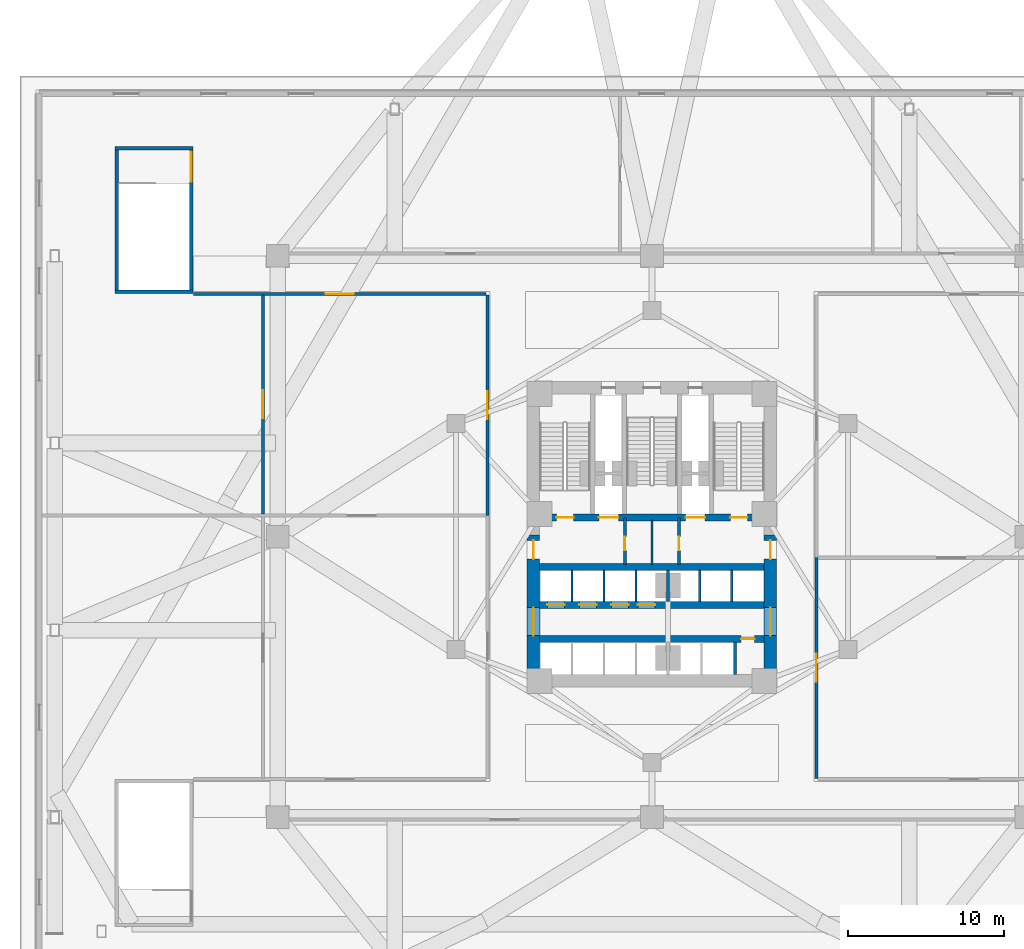
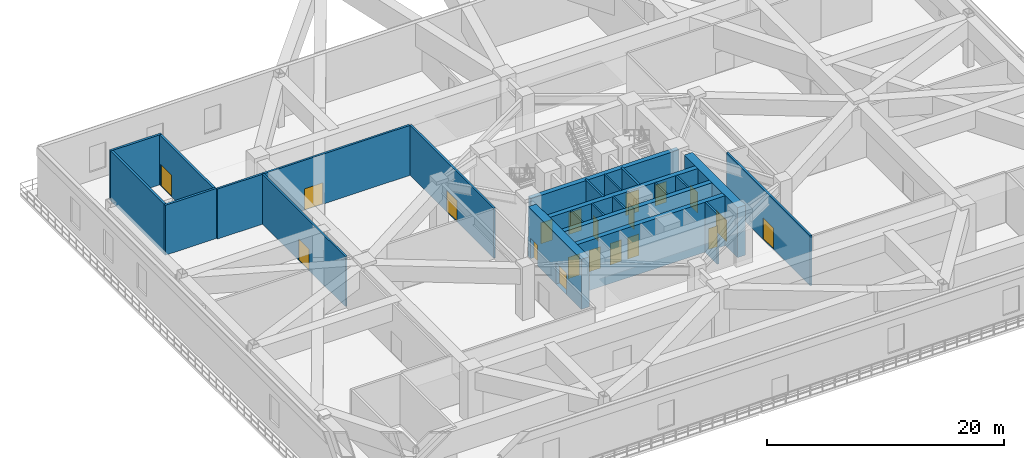
# One storey, part 7 of 15: 24 walls, 20 doors, 20 openings.
"""IFC4 building model written with IfcOpenShell, lengths in metres."""

from ifc_helpers import new_model, si_unit, direction, frame, frame_2d, origin, place, context, subcontext, project, spatial, rectangle, extrude, material, layer, layer_set, type_object, element, fill, save


model = new_model("IFC4")

# Units and contexts
model_context = context("Model", 3, precision=1e-05, world=origin(), true_north=direction((0.0, 1.0)))
body_context = subcontext(model_context, "Body", "Model", "MODEL_VIEW")
ifc_project = project(units=[si_unit("LENGTHUNIT", "METRE"), si_unit("AREAUNIT", "SQUARE_METRE"), si_unit("VOLUMEUNIT", "CUBIC_METRE"), si_unit("PLANEANGLEUNIT", "RADIAN"), si_unit("MASSUNIT", "GRAM", prefix="KILO")], contexts=[model_context])

# Site, building, storey
site_placement = place(None, origin())
site = spatial("IfcSite", under=ifc_project, at=site_placement, CompositionType="ELEMENT")
building_placement = place(site_placement, origin())
building = spatial("IfcBuilding", under=site, at=building_placement, Name="Apsidion Concourse Tower", CompositionType="ELEMENT")
storey_placement = place(building_placement, frame((0.0, 0.0, 23.5)))
storey = spatial("IfcBuildingStorey", under=building, at=storey_placement, Name="L04", CompositionType="ELEMENT", Elevation=23.5)

# Walls
ifc_material_1 = material(Name="Gypsum plasterboard partition")
ifc_layer_1 = layer(ifc_material_1, 0.14990234375)
ifc_layer_set_1 = layer_set([ifc_layer_1], Name="Gypsum plasterboard partition")
wall_type_1 = type_object("IfcWallType", Name="WL-INT-PAR-150", PredefinedType="PARTITIONING", material=ifc_layer_set_1)
for number, where, z_axis, x_axis, name in (
    (1, (-5.125, -4.179931640625, 0.0), (0.0, 0.0, 1.0), (0.0, 1.0, 0.0), "L04 Interior Partition WL-L04-B1DIV-1"),
    (2, (-3.074951171875, -4.179931640625, 0.0), (0.0, 0.0, 1.0), (0.0, 1.0, 0.0), "L04 Interior Partition WL-L04-B1DIV-2"),
    (3, (-1.02490234375, -4.179931640625, 0.0), (0.0, 0.0, 1.0), (0.0, 1.0, 0.0), "L04 Interior Partition WL-L04-B1DIV-3"),
    (4, (3.074951171875, -4.179931640625, 0.0), (0.0, 0.0, 1.0), (0.0, 1.0, 0.0), "L04 Interior Partition WL-L04-B3DIV-1"),
    (5, (5.125, -4.179931640625, 0.0), (0.0, 0.0, 1.0), (0.0, 1.0, 0.0), "L04 Interior Partition WL-L04-B3DIV-2"),
):
    element("IfcWall", number, at=place(storey_placement, frame(where, z_axis=z_axis, x_axis=x_axis)), inside=storey, type_object=wall_type_1, Name=name, PredefinedType="PARTITIONING", context=body_context, shape_type="SweptSolid", body=[
        extrude(rectangle(XDim=2.030029296875, YDim=0.14990234375, at=frame_2d((1.01513671875, 0.0))), origin(), (0.0, 0.0, 1.0), 5.14990234375),
    ])
wall_1_placement = place(storey_placement, frame((0.0, -1.780029296875, 0.0), z_axis=(0.0, 0.0, 1.0), x_axis=(0.0, 1.0, 0.0)))
element("IfcWall", 6, at=wall_1_placement, inside=storey, type_object=wall_type_1, Name="L04 Interior Partition WL-L04-K3V", PredefinedType="PARTITIONING", context=body_context, shape_type="SweptSolid", body=[
    extrude(rectangle(XDim=2.830078125, YDim=0.14990234375, at=frame_2d((1.4150390625, 0.0))), origin(), (0.0, 0.0, 1.0), 5.14990234375),
])
ifc_layer_2 = layer(ifc_material_1, 0.179931640625)
ifc_layer_set_2 = layer_set([ifc_layer_2], Name="Gypsum plasterboard partition")
wall_type_2 = type_object("IfcWallType", Name="WL-INT-PAR-180", PredefinedType="PARTITIONING", material=ifc_layer_set_2)
wall_2_placement = place(storey_placement, frame((1.02490234375, -4.179931640625, 0.0), z_axis=(0.0, 0.0, 1.0), x_axis=(0.0, 1.0, 0.0)))
element("IfcWall", 7, at=wall_2_placement, inside=storey, type_object=wall_type_2, Name="L04 Interior Partition WL-L04-B1END", PredefinedType="PARTITIONING", context=body_context, shape_type="SweptSolid", body=[
    extrude(rectangle(XDim=2.030029296875, YDim=0.179931640625, at=frame_2d((1.01513671875, 0.0))), origin(), (0.0, 0.0, 1.0), 4.197998046875),
])
wall_3_placement = place(storey_placement, frame((5.324951171875, -8.85009765625, 0.0), z_axis=(0.0, 0.0, 1.0), x_axis=(0.0, 1.0, 0.0)))
element("IfcWall", 8, at=wall_3_placement, inside=storey, type_object=wall_type_2, Name="L04 Interior Partition WL-L04-SHDIV-2", PredefinedType="PARTITIONING", context=body_context, shape_type="SweptSolid", body=[
    extrude(rectangle(XDim=2.080078125, YDim=0.179931640625, at=frame_2d((1.0400390625, 0.0))), origin(), (0.0, 0.0, 1.0), 5.14990234375),
])

# Wall, opening, door
wall_4_placement = place(storey_placement, frame((-24.949951171875, 1.449951171875, 0.0), z_axis=(0.0, 0.0, 1.0), x_axis=(0.0, 1.0, 0.0)))
wall_4 = element("IfcWall", 9, at=wall_4_placement, inside=storey, type_object=wall_type_2, Name="L04 Interior Partition WL-L04-WV2", PredefinedType="PARTITIONING", context=body_context, shape_type="SweptSolid", body=[
    extrude(rectangle(XDim=14.050048828125, YDim=0.179931640625, at=frame_2d((7.02490234375, 0.0))), origin(), (0.0, 0.0, 1.0), 5.14990234375),
])
opening_1_placement = place(wall_4_placement, frame((6.125, 0.0, 0.0)))
opening_1 = element("IfcOpeningElement", 10, at=opening_1_placement, cuts=wall_4, Name="Opening D-06D", PredefinedType="OPENING", context=body_context, shape_type="SweptSolid", body=[
    extrude(rectangle(XDim=1.800048828125, YDim=2.199951171875, at=frame_2d((0.89990234375, 1.10009765625))), frame((0.0, 0.10009765625, 0.0), z_axis=(0.0, -1.0, 0.0), x_axis=(1.0, 0.0, 0.0)), (0.0, 0.0, 1.0), 0.199951171875),
])
ifc_material_2 = material(Name="Brushed stainless steel 316", Category="steel")
door_type_1 = type_object("IfcDoorType", Name="DR-INT-D06D", OperationType="DOUBLE_DOOR_SINGLE_SWING", PredefinedType="DOOR", material=ifc_material_2)
door_1_placement = place(opening_1_placement, origin())
door_1 = element("IfcDoor", 11, at=door_1_placement, inside=storey, type_object=door_type_1, Name="L04 Convention Door WL-L04-WV2", OperationType="DOUBLE_DOOR_SINGLE_SWING", OverallHeight=2.199951171875, OverallWidth=1.800048828125, PredefinedType="DOOR", context=body_context, shape_type="SweptSolid", body=[
    extrude(rectangle(XDim=1.800048828125, YDim=2.199951171875, at=frame_2d((0.89990234375, 1.10009765625))), frame((0.0, 0.02490234375, 0.0), z_axis=(0.0, -1.0, 0.0), x_axis=(1.0, 0.0, 0.0)), (0.0, 0.0, 1.0), 0.050048828125),
])
fill(opening_1, door_1)

ifc_layer_3 = layer(ifc_material_1, 0.199951171875)
ifc_layer_set_3 = layer_set([ifc_layer_3], Name="Gypsum plasterboard partition")
wall_type_3 = type_object("IfcWallType", Name="WL-INT-PAR-200", PredefinedType="PARTITIONING", material=ifc_layer_set_3)
wall_5_placement = place(storey_placement, frame((-1.739990234375, -1.780029296875, 0.0), z_axis=(0.0, 0.0, 1.0), x_axis=(0.0, 1.0, 0.0)))
wall_5 = element("IfcWall", 12, at=wall_5_placement, inside=storey, type_object=wall_type_3, Name="L04 Interior Partition WL-L04-FF1-E", PredefinedType="PARTITIONING", context=body_context, shape_type="SweptSolid", body=[
    extrude(rectangle(XDim=2.97998046875, YDim=0.199951171875, at=frame_2d((1.489990234375, 0.0))), origin(), (0.0, 0.0, 1.0), 5.14990234375),
])
opening_2_placement = place(wall_5_placement, frame((0.889892578125, 0.0, 0.0)))
opening_2 = element("IfcOpeningElement", 13, at=opening_2_placement, cuts=wall_5, Name="Opening D-05R", PredefinedType="OPENING", context=body_context, shape_type="SweptSolid", body=[
    extrude(rectangle(XDim=0.8798828125, YDim=2.14990234375, at=frame_2d((0.43994140625, 1.074951171875))), frame((0.0, 0.10986328125, 0.0), z_axis=(0.0, -1.0, 0.0), x_axis=(1.0, 0.0, 0.0)), (0.0, 0.0, 1.0), 0.219970703125),
])
door_type_2 = type_object("IfcDoorType", Name="DR-INT-D05R", OperationType="SINGLE_SWING_RIGHT", PredefinedType="DOOR", material=ifc_material_2)
door_2_placement = place(opening_2_placement, origin())
door_2 = element("IfcDoor", 14, at=door_2_placement, inside=storey, type_object=door_type_2, Name="L04 Core Pantry Door", OperationType="SINGLE_SWING_RIGHT", OverallHeight=2.14990234375, OverallWidth=0.8798828125, PredefinedType="DOOR", context=body_context, shape_type="SweptSolid", body=[
    extrude(rectangle(XDim=0.8798828125, YDim=2.14990234375, at=frame_2d((0.43994140625, 1.074951171875))), frame((0.0, 0.02490234375, 0.0), z_axis=(0.0, -1.0, 0.0), x_axis=(1.0, 0.0, 0.0)), (0.0, 0.0, 1.0), 0.050048828125),
])
fill(opening_2, door_2)

wall_6_placement = place(storey_placement, frame((1.739990234375, -1.780029296875, 0.0), z_axis=(0.0, 0.0, 1.0), x_axis=(0.0, 1.0, 0.0)))
wall_6 = element("IfcWall", 15, at=wall_6_placement, inside=storey, type_object=wall_type_3, Name="L04 Interior Partition WL-L04-FF2-W", PredefinedType="PARTITIONING", context=body_context, shape_type="SweptSolid", body=[
    extrude(rectangle(XDim=2.97998046875, YDim=0.199951171875, at=frame_2d((1.489990234375, 0.0))), origin(), (0.0, 0.0, 1.0), 5.14990234375),
])
opening_3_placement = place(wall_6_placement, frame((0.889892578125, 0.0, 0.0)))
opening_3 = element("IfcOpeningElement", 16, at=opening_3_placement, cuts=wall_6, Name="Opening D-05L", PredefinedType="OPENING", context=body_context, shape_type="SweptSolid", body=[
    extrude(rectangle(XDim=0.8798828125, YDim=2.14990234375, at=frame_2d((0.43994140625, 1.074951171875))), frame((0.0, 0.10986328125, 0.0), z_axis=(0.0, -1.0, 0.0), x_axis=(1.0, 0.0, 0.0)), (0.0, 0.0, 1.0), 0.219970703125),
])
door_type_3 = type_object("IfcDoorType", Name="DR-INT-D05L", OperationType="SINGLE_SWING_LEFT", PredefinedType="DOOR", material=ifc_material_2)
door_3_placement = place(opening_3_placement, origin())
door_3 = element("IfcDoor", 17, at=door_3_placement, inside=storey, type_object=door_type_3, Name="L04 Core Electrical Door", OperationType="SINGLE_SWING_LEFT", OverallHeight=2.14990234375, OverallWidth=0.8798828125, PredefinedType="DOOR", context=body_context, shape_type="SweptSolid", body=[
    extrude(rectangle(XDim=0.8798828125, YDim=2.14990234375, at=frame_2d((0.43994140625, 1.074951171875))), frame((0.0, 0.02490234375, 0.0), z_axis=(0.0, -1.0, 0.0), x_axis=(1.0, 0.0, 0.0)), (0.0, 0.0, 1.0), 0.050048828125),
])
fill(opening_3, door_3)

wall_7_placement = place(storey_placement, frame((-10.550048828125, 1.35009765625, 0.0), z_axis=(0.0, 0.0, 1.0), x_axis=(0.0, 1.0, 0.0)))
wall_7 = element("IfcWall", 18, at=wall_7_placement, inside=storey, type_object=wall_type_3, Name="L04 Interior Partition WL-L04-W2", PredefinedType="PARTITIONING", context=body_context, shape_type="SweptSolid", body=[
    extrude(rectangle(XDim=14.14990234375, YDim=0.199951171875, at=frame_2d((7.074951171875, 0.0))), origin(), (0.0, 0.0, 1.0), 5.14990234375),
])
opening_4_placement = place(wall_7_placement, frame((6.175048828125, 0.0, 0.0)))
opening_4 = element("IfcOpeningElement", 19, at=opening_4_placement, cuts=wall_7, Name="Opening D-06D", PredefinedType="OPENING", context=body_context, shape_type="SweptSolid", body=[
    extrude(rectangle(XDim=1.800048828125, YDim=2.199951171875, at=frame_2d((0.89990234375, 1.10009765625))), frame((0.0, 0.10986328125, 0.0), z_axis=(0.0, -1.0, 0.0), x_axis=(1.0, 0.0, 0.0)), (0.0, 0.0, 1.0), 0.219970703125),
])
door_4_placement = place(opening_4_placement, origin())
door_4 = element("IfcDoor", 20, at=door_4_placement, inside=storey, type_object=door_type_1, Name="L04 Convention Door WL-L04-W2", OperationType="DOUBLE_DOOR_SINGLE_SWING", OverallHeight=2.199951171875, OverallWidth=1.800048828125, PredefinedType="DOOR", context=body_context, shape_type="SweptSolid", body=[
    extrude(rectangle(XDim=1.800048828125, YDim=2.199951171875, at=frame_2d((0.89990234375, 1.10009765625))), frame((0.0, 0.02490234375, 0.0), z_axis=(0.0, -1.0, 0.0), x_axis=(1.0, 0.0, 0.0)), (0.0, 0.0, 1.0), 0.050048828125),
])
fill(opening_4, door_4)

wall_8_placement = place(storey_placement, frame((10.550048828125, -15.5, 0.0), z_axis=(0.0, 0.0, 1.0), x_axis=(0.0, 1.0, 0.0)))
wall_8 = element("IfcWall", 21, at=wall_8_placement, inside=storey, type_object=wall_type_3, Name="L04 Interior Partition WL-L04-E1", PredefinedType="PARTITIONING", context=body_context, shape_type="SweptSolid", body=[
    extrude(rectangle(XDim=14.14990234375, YDim=0.199951171875, at=frame_2d((7.074951171875, 0.0))), origin(), (0.0, 0.0, 1.0), 5.14990234375),
])
opening_5_placement = place(wall_8_placement, frame((6.175048828125, 0.0, 0.0)))
opening_5 = element("IfcOpeningElement", 22, at=opening_5_placement, cuts=wall_8, Name="Opening D-06D", PredefinedType="OPENING", context=body_context, shape_type="SweptSolid", body=[
    extrude(rectangle(XDim=1.800048828125, YDim=2.199951171875, at=frame_2d((0.89990234375, 1.10009765625))), frame((0.0, 0.10986328125, 0.0), z_axis=(0.0, -1.0, 0.0), x_axis=(1.0, 0.0, 0.0)), (0.0, 0.0, 1.0), 0.219970703125),
])
door_5_placement = place(opening_5_placement, origin())
door_5 = element("IfcDoor", 23, at=door_5_placement, inside=storey, type_object=door_type_1, Name="L04 Convention Door WL-L04-E1", OperationType="DOUBLE_DOOR_SINGLE_SWING", OverallHeight=2.199951171875, OverallWidth=1.800048828125, PredefinedType="DOOR", context=body_context, shape_type="SweptSolid", body=[
    extrude(rectangle(XDim=1.800048828125, YDim=2.199951171875, at=frame_2d((0.89990234375, 1.10009765625))), frame((0.0, 0.02490234375, 0.0), z_axis=(0.0, -1.0, 0.0), x_axis=(1.0, 0.0, 0.0)), (0.0, 0.0, 1.0), 0.050048828125),
])
fill(opening_5, door_5)

wall_9_placement = place(storey_placement, frame((-29.39990234375, 15.550048828125, 0.0), z_axis=(0.0, 0.0, 1.0), x_axis=(1.0, 0.0, 0.0)))
wall_9 = element("IfcWall", 24, at=wall_9_placement, inside=storey, type_object=wall_type_3, Name="L04 Interior Partition WL-L04-N1", PredefinedType="PARTITIONING", context=body_context, shape_type="SweptSolid", body=[
    extrude(rectangle(XDim=18.75, YDim=0.199951171875, at=frame_2d((9.375, 0.0))), origin(), (0.0, 0.0, 1.0), 5.14990234375),
])
opening_6_placement = place(wall_9_placement, frame((8.47509765625, 0.0, 0.0)))
opening_6 = element("IfcOpeningElement", 25, at=opening_6_placement, cuts=wall_9, Name="Opening D-06D", PredefinedType="OPENING", context=body_context, shape_type="SweptSolid", body=[
    extrude(rectangle(XDim=1.800048828125, YDim=2.199951171875, at=frame_2d((0.89990234375, 1.10009765625))), frame((0.0, 0.10986328125, 0.0), z_axis=(0.0, -1.0, 0.0), x_axis=(1.0, 0.0, 0.0)), (0.0, 0.0, 1.0), 0.219970703125),
])
door_6_placement = place(opening_6_placement, origin())
door_6 = element("IfcDoor", 26, at=door_6_placement, inside=storey, type_object=door_type_1, Name="L04 Convention Door WL-L04-N1", OperationType="DOUBLE_DOOR_SINGLE_SWING", OverallHeight=2.199951171875, OverallWidth=1.800048828125, PredefinedType="DOOR", context=body_context, shape_type="SweptSolid", body=[
    extrude(rectangle(XDim=1.800048828125, YDim=2.199951171875, at=frame_2d((0.89990234375, 1.10009765625))), frame((0.0, 0.02490234375, 0.0), z_axis=(0.0, -1.0, 0.0), x_axis=(1.0, 0.0, 0.0)), (0.0, 0.0, 1.0), 0.050048828125),
])
fill(opening_6, door_6)

# Walls
ifc_material_3 = material(Name="Concrete C50/60", Category="concrete")
ifc_layer_4 = layer(ifc_material_3, 0.219970703125)
ifc_layer_set_4 = layer_set([ifc_layer_4], Name="Concrete C50/60")
wall_type_4 = type_object("IfcWallType", Name="WL-SH-220", PredefinedType="SHEAR", material=ifc_layer_set_4)
for number, where, z_axis, x_axis, name in (
    (27, (-34.419921875, 15.68994140625, 0.0), (0.0, 0.0, 1.0), (1.0, 0.0, 0.0), "L04 Podium Stair ST-P3 Core Shear Wall S"),
    (28, (-34.419921875, 24.909912109375, 0.0), (0.0, 0.0, 1.0), (1.0, 0.0, 0.0), "L04 Podium Stair ST-P3 Core Shear Wall N"),
):
    element("IfcWall", number, at=place(storey_placement, frame(where, z_axis=z_axis, x_axis=x_axis)), inside=storey, type_object=wall_type_4, Name=name, PredefinedType="SHEAR", context=body_context, shape_type="SweptSolid", body=[
        extrude(rectangle(XDim=4.989990234375, YDim=0.219970703125, at=frame_2d((2.4951171875, 0.0))), origin(), (0.0, 0.0, 1.0), 5.14990234375),
    ])
wall_10_placement = place(storey_placement, frame((-34.31005859375, 15.800048828125, 0.0), z_axis=(0.0, 0.0, 1.0), x_axis=(0.0, 1.0, 0.0)))
element("IfcWall", 29, at=wall_10_placement, inside=storey, type_object=wall_type_4, Name="L04 Podium Stair ST-P3 Core Shear Wall W", PredefinedType="SHEAR", context=body_context, shape_type="SweptSolid", body=[
    extrude(rectangle(XDim=9.0, YDim=0.219970703125, at=frame_2d((4.5, 0.0))), origin(), (0.0, 0.0, 1.0), 5.14990234375),
])

# Wall, opening, door
wall_11_placement = place(storey_placement, frame((-29.5400390625, 15.800048828125, 0.0), z_axis=(0.0, 0.0, 1.0), x_axis=(0.0, 1.0, 0.0)))
wall_11 = element("IfcWall", 30, at=wall_11_placement, inside=storey, type_object=wall_type_4, Name="L04 Podium Stair ST-P3 Core Shear Wall E", PredefinedType="SHEAR", context=body_context, shape_type="SweptSolid", body=[
    extrude(rectangle(XDim=9.0, YDim=0.219970703125, at=frame_2d((4.5, 0.0))), origin(), (0.0, 0.0, 1.0), 5.14990234375),
])
opening_7_placement = place(wall_11_placement, frame((6.9599609375, 0.0, 0.0)))
opening_7 = element("IfcOpeningElement", 31, at=opening_7_placement, cuts=wall_11, Name="Opening D-07D", PredefinedType="OPENING", context=body_context, shape_type="SweptSolid", body=[
    extrude(rectangle(XDim=1.89990234375, YDim=2.199951171875, at=frame_2d((0.949951171875, 1.10009765625))), frame((0.0, 0.1201171875, 0.0), z_axis=(0.0, -1.0, 0.0), x_axis=(1.0, 0.0, 0.0)), (0.0, 0.0, 1.0), 0.239990234375),
])
door_type_4 = type_object("IfcDoorType", Name="DR-INT-D07D", OperationType="DOUBLE_DOOR_SINGLE_SWING", PredefinedType="DOOR", material=ifc_material_2)
door_7_placement = place(opening_7_placement, origin())
door_7 = element("IfcDoor", 32, at=door_7_placement, inside=storey, type_object=door_type_4, Name="L04 Podium Exit Stair ST-P3 Entry Door", OperationType="DOUBLE_DOOR_SINGLE_SWING", OverallHeight=2.199951171875, OverallWidth=1.89990234375, PredefinedType="DOOR", context=body_context, shape_type="SweptSolid", body=[
    extrude(rectangle(XDim=1.89990234375, YDim=2.199951171875, at=frame_2d((0.949951171875, 1.10009765625))), frame((0.0, 0.02490234375, 0.0), z_axis=(0.0, -1.0, 0.0), x_axis=(1.0, 0.0, 0.0)), (0.0, 0.0, 1.0), 0.050048828125),
])
fill(opening_7, door_7)

# Wall, openings, doors
ifc_material_4 = material(Name="Concrete C60/75", Category="concrete")
ifc_layer_5 = layer(ifc_material_4, 0.449951171875)
ifc_layer_set_5 = layer_set([ifc_layer_5], Name="Concrete C60/75")
wall_type_5 = type_object("IfcWallType", Name="WL-SH-450", PredefinedType="SHEAR", material=ifc_layer_set_5)
wall_12_placement = place(storey_placement, frame((-7.199951171875, 1.22509765625, 0.0), z_axis=(0.0, 0.0, 1.0), x_axis=(1.0, 0.0, 0.0)))
wall_12 = element("IfcWall", 33, at=wall_12_placement, inside=storey, type_object=wall_type_5, Name="L04 Central Core Shear Wall M1", PredefinedType="SHEAR", context=body_context, shape_type="SweptSolid", body=[
    extrude(rectangle(XDim=14.39990234375, YDim=0.449951171875, at=frame_2d((7.199951171875, 0.0))), origin(), (0.0, 0.0, 1.0), 5.14990234375),
])
opening_8_placement = place(wall_12_placement, frame((3.794921875, 0.0, 0.0)))
opening_8 = element("IfcOpeningElement", 34, at=opening_8_placement, cuts=wall_12, Name="Opening LD-FF", PredefinedType="OPENING", context=body_context, shape_type="SweptSolid", body=[
    extrude(rectangle(XDim=1.25, YDim=2.25, at=frame_2d((0.625, 1.125))), frame((0.0, 0.23486328125, 0.0), z_axis=(0.0, -1.0, 0.0), x_axis=(1.0, 0.0, 0.0)), (0.0, 0.0, 1.0), 0.469970703125),
])
opening_9_placement = place(wall_12_placement, frame((9.35498046875, 0.0, 0.0)))
opening_9 = element("IfcOpeningElement", 35, at=opening_9_placement, cuts=wall_12, Name="Opening LD-FF", PredefinedType="OPENING", context=body_context, shape_type="SweptSolid", body=[
    extrude(rectangle(XDim=1.25, YDim=2.25, at=frame_2d((0.625, 1.125))), frame((0.0, 0.23486328125, 0.0), z_axis=(0.0, -1.0, 0.0), x_axis=(1.0, 0.0, 0.0)), (0.0, 0.0, 1.0), 0.469970703125),
])
opening_10_placement = place(wall_12_placement, frame((1.074951171875, 0.0, 0.0)))
opening_10 = element("IfcOpeningElement", 36, at=opening_10_placement, cuts=wall_12, Name="Opening D-STL", PredefinedType="OPENING", context=body_context, shape_type="SweptSolid", body=[
    extrude(rectangle(XDim=1.10009765625, YDim=2.14990234375, at=frame_2d((0.550048828125, 1.074951171875))), frame((0.0, 0.23486328125, 0.0), z_axis=(0.0, -1.0, 0.0), x_axis=(1.0, 0.0, 0.0)), (0.0, 0.0, 1.0), 0.469970703125),
])
opening_11_placement = place(wall_12_placement, frame((12.22509765625, 0.0, 0.0)))
opening_11 = element("IfcOpeningElement", 37, at=opening_11_placement, cuts=wall_12, Name="Opening D-STR", PredefinedType="OPENING", context=body_context, shape_type="SweptSolid", body=[
    extrude(rectangle(XDim=1.10009765625, YDim=2.14990234375, at=frame_2d((0.550048828125, 1.074951171875))), frame((0.0, 0.23486328125, 0.0), z_axis=(0.0, -1.0, 0.0), x_axis=(1.0, 0.0, 0.0)), (0.0, 0.0, 1.0), 0.469970703125),
])
door_type_5 = type_object("IfcDoorType", Name="DR-INT-ST1L", OperationType="SINGLE_SWING_LEFT", PredefinedType="DOOR", material=ifc_material_2)
door_8_placement = place(opening_10_placement, origin())
door_8 = element("IfcDoor", 38, at=door_8_placement, inside=storey, type_object=door_type_5, Name="L04 Core Exit Stair ST1 Door", OperationType="SINGLE_SWING_LEFT", OverallHeight=2.14990234375, OverallWidth=1.10009765625, PredefinedType="DOOR", context=body_context, shape_type="SweptSolid", body=[
    extrude(rectangle(XDim=1.10009765625, YDim=2.14990234375, at=frame_2d((0.550048828125, 1.074951171875))), frame((0.0, 0.02490234375, 0.0), z_axis=(0.0, -1.0, 0.0), x_axis=(1.0, 0.0, 0.0)), (0.0, 0.0, 1.0), 0.050048828125),
])
fill(opening_10, door_8)
door_type_6 = type_object("IfcDoorType", Name="DR-INT-ST1R", OperationType="SINGLE_SWING_RIGHT", PredefinedType="DOOR", material=ifc_material_2)
door_9_placement = place(opening_11_placement, origin())
door_9 = element("IfcDoor", 39, at=door_9_placement, inside=storey, type_object=door_type_6, Name="L04 Core Exit Stair ST2 Door", OperationType="SINGLE_SWING_RIGHT", OverallHeight=2.14990234375, OverallWidth=1.10009765625, PredefinedType="DOOR", context=body_context, shape_type="SweptSolid", body=[
    extrude(rectangle(XDim=1.10009765625, YDim=2.14990234375, at=frame_2d((0.550048828125, 1.074951171875))), frame((0.0, 0.02490234375, 0.0), z_axis=(0.0, -1.0, 0.0), x_axis=(1.0, 0.0, 0.0)), (0.0, 0.0, 1.0), 0.050048828125),
])
fill(opening_11, door_9)
door_type_7 = type_object("IfcDoorType", Name="DR-LD-FSAE", OperationType="DOUBLE_DOOR_SLIDING", PredefinedType="DOOR", material=ifc_material_2)
door_10_placement = place(opening_8_placement, origin())
door_10 = element("IfcDoor", 40, at=door_10_placement, inside=storey, type_object=door_type_7, Name="L04 Lift Landing Door FF1", OperationType="DOUBLE_DOOR_SLIDING", OverallHeight=2.25, OverallWidth=1.25, PredefinedType="DOOR", context=body_context, shape_type="SweptSolid", body=[
    extrude(rectangle(XDim=1.25, YDim=2.25, at=frame_2d((0.625, 1.125))), frame((0.0, 0.02490234375, 0.0), z_axis=(0.0, -1.0, 0.0), x_axis=(1.0, 0.0, 0.0)), (0.0, 0.0, 1.0), 0.050048828125),
])
fill(opening_8, door_10)
door_11_placement = place(opening_9_placement, origin())
door_11 = element("IfcDoor", 41, at=door_11_placement, inside=storey, type_object=door_type_7, Name="L04 Lift Landing Door FF2", OperationType="DOUBLE_DOOR_SLIDING", OverallHeight=2.25, OverallWidth=1.25, PredefinedType="DOOR", context=body_context, shape_type="SweptSolid", body=[
    extrude(rectangle(XDim=1.25, YDim=2.25, at=frame_2d((0.625, 1.125))), frame((0.0, 0.02490234375, 0.0), z_axis=(0.0, -1.0, 0.0), x_axis=(1.0, 0.0, 0.0)), (0.0, 0.0, 1.0), 0.050048828125),
])
fill(opening_9, door_11)

# Wall
wall_13_placement = place(storey_placement, frame((-7.199951171875, -1.949951171875, 0.0), z_axis=(0.0, 0.0, 1.0), x_axis=(1.0, 0.0, 0.0)))
element("IfcWall", 42, at=wall_13_placement, inside=storey, type_object=wall_type_5, Name="L04 Central Core Shear Wall M2", PredefinedType="SHEAR", context=body_context, shape_type="SweptSolid", body=[
    extrude(rectangle(XDim=14.39990234375, YDim=0.449951171875, at=frame_2d((7.199951171875, 0.0))), origin(), (0.0, 0.0, 1.0), 5.14990234375),
])

# Wall, openings, doors
wall_14_placement = place(storey_placement, frame((-7.199951171875, -4.3798828125, 0.0), z_axis=(0.0, 0.0, 1.0), x_axis=(1.0, 0.0, 0.0)))
wall_14 = element("IfcWall", 43, at=wall_14_placement, inside=storey, type_object=wall_type_5, Name="L04 Central Core Shear Wall LA", PredefinedType="SHEAR", context=body_context, shape_type="SweptSolid", body=[
    extrude(rectangle(XDim=14.39990234375, YDim=0.449951171875, at=frame_2d((7.199951171875, 0.0))), origin(), (0.0, 0.0, 1.0), 5.14990234375),
])
opening_12_placement = place(wall_14_placement, frame((0.5, 0.0, 0.0)))
opening_12 = element("IfcOpeningElement", 44, at=opening_12_placement, cuts=wall_14, Name="Opening LD-P1", PredefinedType="OPENING", context=body_context, shape_type="SweptSolid", body=[
    extrude(rectangle(XDim=1.10009765625, YDim=2.199951171875, at=frame_2d((0.550048828125, 1.10009765625))), frame((0.0, 0.23486328125, 0.0), z_axis=(0.0, -1.0, 0.0), x_axis=(1.0, 0.0, 0.0)), (0.0, 0.0, 1.0), 0.469970703125),
])
opening_13_placement = place(wall_14_placement, frame((2.550048828125, 0.0, 0.0)))
opening_13 = element("IfcOpeningElement", 45, at=opening_13_placement, cuts=wall_14, Name="Opening LD-P1", PredefinedType="OPENING", context=body_context, shape_type="SweptSolid", body=[
    extrude(rectangle(XDim=1.10009765625, YDim=2.199951171875, at=frame_2d((0.550048828125, 1.10009765625))), frame((0.0, 0.23486328125, 0.0), z_axis=(0.0, -1.0, 0.0), x_axis=(1.0, 0.0, 0.0)), (0.0, 0.0, 1.0), 0.469970703125),
])
opening_14_placement = place(wall_14_placement, frame((4.60009765625, 0.0, 0.0)))
opening_14 = element("IfcOpeningElement", 46, at=opening_14_placement, cuts=wall_14, Name="Opening LD-P1", PredefinedType="OPENING", context=body_context, shape_type="SweptSolid", body=[
    extrude(rectangle(XDim=1.10009765625, YDim=2.199951171875, at=frame_2d((0.550048828125, 1.10009765625))), frame((0.0, 0.23486328125, 0.0), z_axis=(0.0, -1.0, 0.0), x_axis=(1.0, 0.0, 0.0)), (0.0, 0.0, 1.0), 0.469970703125),
])
opening_15_placement = place(wall_14_placement, frame((6.300048828125, 0.0, 0.0)))
opening_15 = element("IfcOpeningElement", 47, at=opening_15_placement, cuts=wall_14, Name="Opening LD-P1", PredefinedType="OPENING", context=body_context, shape_type="SweptSolid", body=[
    extrude(rectangle(XDim=1.10009765625, YDim=2.199951171875, at=frame_2d((0.550048828125, 1.10009765625))), frame((0.0, 0.23486328125, 0.0), z_axis=(0.0, -1.0, 0.0), x_axis=(1.0, 0.0, 0.0)), (0.0, 0.0, 1.0), 0.469970703125),
])
door_type_8 = type_object("IfcDoorType", Name="DR-LD-PASS", OperationType="DOUBLE_DOOR_SLIDING", PredefinedType="DOOR", material=ifc_material_2)
door_12_placement = place(opening_12_placement, origin())
door_12 = element("IfcDoor", 48, at=door_12_placement, inside=storey, type_object=door_type_8, Name="L04 Lift Landing Door P1", OperationType="DOUBLE_DOOR_SLIDING", OverallHeight=2.199951171875, OverallWidth=1.10009765625, PredefinedType="DOOR", context=body_context, shape_type="SweptSolid", body=[
    extrude(rectangle(XDim=1.10009765625, YDim=2.199951171875, at=frame_2d((0.550048828125, 1.10009765625))), frame((0.0, 0.02490234375, 0.0), z_axis=(0.0, -1.0, 0.0), x_axis=(1.0, 0.0, 0.0)), (0.0, 0.0, 1.0), 0.050048828125),
])
fill(opening_12, door_12)
door_13_placement = place(opening_13_placement, origin())
door_13 = element("IfcDoor", 49, at=door_13_placement, inside=storey, type_object=door_type_8, Name="L04 Lift Landing Door P2", OperationType="DOUBLE_DOOR_SLIDING", OverallHeight=2.199951171875, OverallWidth=1.10009765625, PredefinedType="DOOR", context=body_context, shape_type="SweptSolid", body=[
    extrude(rectangle(XDim=1.10009765625, YDim=2.199951171875, at=frame_2d((0.550048828125, 1.10009765625))), frame((0.0, 0.02490234375, 0.0), z_axis=(0.0, -1.0, 0.0), x_axis=(1.0, 0.0, 0.0)), (0.0, 0.0, 1.0), 0.050048828125),
])
fill(opening_13, door_13)
door_14_placement = place(opening_14_placement, origin())
door_14 = element("IfcDoor", 50, at=door_14_placement, inside=storey, type_object=door_type_8, Name="L04 Lift Landing Door P3", OperationType="DOUBLE_DOOR_SLIDING", OverallHeight=2.199951171875, OverallWidth=1.10009765625, PredefinedType="DOOR", context=body_context, shape_type="SweptSolid", body=[
    extrude(rectangle(XDim=1.10009765625, YDim=2.199951171875, at=frame_2d((0.550048828125, 1.10009765625))), frame((0.0, 0.02490234375, 0.0), z_axis=(0.0, -1.0, 0.0), x_axis=(1.0, 0.0, 0.0)), (0.0, 0.0, 1.0), 0.050048828125),
])
fill(opening_14, door_14)
door_15_placement = place(opening_15_placement, origin())
door_15 = element("IfcDoor", 51, at=door_15_placement, inside=storey, type_object=door_type_8, Name="L04 Lift Landing Door P4", OperationType="DOUBLE_DOOR_SLIDING", OverallHeight=2.199951171875, OverallWidth=1.10009765625, PredefinedType="DOOR", context=body_context, shape_type="SweptSolid", body=[
    extrude(rectangle(XDim=1.10009765625, YDim=2.199951171875, at=frame_2d((0.550048828125, 1.10009765625))), frame((0.0, 0.02490234375, 0.0), z_axis=(0.0, -1.0, 0.0), x_axis=(1.0, 0.0, 0.0)), (0.0, 0.0, 1.0), 0.050048828125),
])
fill(opening_15, door_15)

# Wall, opening, door
wall_15_placement = place(storey_placement, frame((-7.199951171875, -6.570068359375, 0.0), z_axis=(0.0, 0.0, 1.0), x_axis=(1.0, 0.0, 0.0)))
wall_15 = element("IfcWall", 52, at=wall_15_placement, inside=storey, type_object=wall_type_5, Name="L04 Central Core Shear Wall LB", PredefinedType="SHEAR", context=body_context, shape_type="SweptSolid", body=[
    extrude(rectangle(XDim=14.39990234375, YDim=0.449951171875, at=frame_2d((7.199951171875, 0.0))), origin(), (0.0, 0.0, 1.0), 5.14990234375),
])
opening_16_placement = place(wall_15_placement, frame((12.909912109375, 0.0, 0.0)))
opening_16 = element("IfcOpeningElement", 53, at=opening_16_placement, cuts=wall_15, Name="Opening D-05L", PredefinedType="OPENING", context=body_context, shape_type="SweptSolid", body=[
    extrude(rectangle(XDim=0.8798828125, YDim=2.14990234375, at=frame_2d((0.43994140625, 1.074951171875))), frame((0.0, 0.23486328125, 0.0), z_axis=(0.0, -1.0, 0.0), x_axis=(1.0, 0.0, 0.0)), (0.0, 0.0, 1.0), 0.469970703125),
])
door_16_placement = place(opening_16_placement, origin())
door_16 = element("IfcDoor", 54, at=door_16_placement, inside=storey, type_object=door_type_3, Name="L04 Cleaners Store Door", OperationType="SINGLE_SWING_LEFT", OverallHeight=2.14990234375, OverallWidth=0.8798828125, PredefinedType="DOOR", context=body_context, shape_type="SweptSolid", body=[
    extrude(rectangle(XDim=0.8798828125, YDim=2.14990234375, at=frame_2d((0.43994140625, 1.074951171875))), frame((0.0, 0.02490234375, 0.0), z_axis=(0.0, -1.0, 0.0), x_axis=(1.0, 0.0, 0.0)), (0.0, 0.0, 1.0), 0.050048828125),
])
fill(opening_16, door_16)

# Wall, openings, doors
ifc_layer_6 = layer(ifc_material_4, 0.800048828125)
ifc_layer_set_6 = layer_set([ifc_layer_6], Name="Concrete C60/75")
wall_type_6 = type_object("IfcWallType", Name="WL-SH-800", PredefinedType="SHEAR", material=ifc_layer_set_6)
wall_16_placement = place(storey_placement, frame((-7.60009765625, -8.85009765625, 0.0), z_axis=(0.0, 0.0, 1.0), x_axis=(0.0, 1.0, 0.0)))
wall_16 = element("IfcWall", 55, at=wall_16_placement, inside=storey, type_object=wall_type_6, Name="L04 Central Core Shear Wall WS", PredefinedType="SHEAR", context=body_context, shape_type="SweptSolid", body=[
    extrude(rectangle(XDim=8.9501953125, YDim=0.800048828125, at=frame_2d((4.47509765625, 0.0))), origin(), (0.0, 0.0, 1.0), 5.14990234375),
])
opening_17_placement = place(wall_16_placement, frame((2.489990234375, 0.0, 0.0)))
opening_17 = element("IfcOpeningElement", 56, at=opening_17_placement, cuts=wall_16, Name="Opening D-06D", PredefinedType="OPENING", context=body_context, shape_type="SweptSolid", body=[
    extrude(rectangle(XDim=1.800048828125, YDim=2.199951171875, at=frame_2d((0.89990234375, 1.10009765625))), frame((0.0, 0.41015625, 0.0), z_axis=(0.0, -1.0, 0.0), x_axis=(1.0, 0.0, 0.0)), (0.0, 0.0, 1.0), 0.820068359375),
])
opening_18_placement = place(wall_16_placement, frame((7.39990234375, 0.0, 0.0)))
opening_18 = element("IfcOpeningElement", 57, at=opening_18_placement, cuts=wall_16, Name="Opening D-FFL", PredefinedType="OPENING", context=body_context, shape_type="SweptSolid", body=[
    extrude(rectangle(XDim=1.199951171875, YDim=2.14990234375, at=frame_2d((0.60009765625, 1.074951171875))), frame((0.0, 0.41015625, 0.0), z_axis=(0.0, -1.0, 0.0), x_axis=(1.0, 0.0, 0.0)), (0.0, 0.0, 1.0), 0.820068359375),
])
door_17_placement = place(opening_17_placement, origin())
door_17 = element("IfcDoor", 58, at=door_17_placement, inside=storey, type_object=door_type_1, Name="L04 Passenger Lift Lobby WS Portal Door", OperationType="DOUBLE_DOOR_SINGLE_SWING", OverallHeight=2.199951171875, OverallWidth=1.800048828125, PredefinedType="DOOR", context=body_context, shape_type="SweptSolid", body=[
    extrude(rectangle(XDim=1.800048828125, YDim=2.199951171875, at=frame_2d((0.89990234375, 1.10009765625))), frame((0.0, 0.02490234375, 0.0), z_axis=(0.0, -1.0, 0.0), x_axis=(1.0, 0.0, 0.0)), (0.0, 0.0, 1.0), 0.050048828125),
])
fill(opening_17, door_17)
door_type_9 = type_object("IfcDoorType", Name="DR-INT-FFL", OperationType="SINGLE_SWING_LEFT", PredefinedType="DOOR", material=ifc_material_2)
door_18_placement = place(opening_18_placement, origin())
door_18 = element("IfcDoor", 59, at=door_18_placement, inside=storey, type_object=door_type_9, Name="L04 Firefighting Lift Lobby FF1 Door", OperationType="SINGLE_SWING_LEFT", OverallHeight=2.14990234375, OverallWidth=1.199951171875, PredefinedType="DOOR", context=body_context, shape_type="SweptSolid", body=[
    extrude(rectangle(XDim=1.199951171875, YDim=2.14990234375, at=frame_2d((0.60009765625, 1.074951171875))), frame((0.0, 0.02490234375, 0.0), z_axis=(0.0, -1.0, 0.0), x_axis=(1.0, 0.0, 0.0)), (0.0, 0.0, 1.0), 0.050048828125),
])
fill(opening_18, door_18)

wall_17_placement = place(storey_placement, frame((7.60009765625, -8.85009765625, 0.0), z_axis=(0.0, 0.0, 1.0), x_axis=(0.0, 1.0, 0.0)))
wall_17 = element("IfcWall", 60, at=wall_17_placement, inside=storey, type_object=wall_type_6, Name="L04 Central Core Shear Wall ES", PredefinedType="SHEAR", context=body_context, shape_type="SweptSolid", body=[
    extrude(rectangle(XDim=8.9501953125, YDim=0.800048828125, at=frame_2d((4.47509765625, 0.0))), origin(), (0.0, 0.0, 1.0), 5.14990234375),
])
opening_19_placement = place(wall_17_placement, frame((2.489990234375, 0.0, 0.0)))
opening_19 = element("IfcOpeningElement", 61, at=opening_19_placement, cuts=wall_17, Name="Opening D-06D", PredefinedType="OPENING", context=body_context, shape_type="SweptSolid", body=[
    extrude(rectangle(XDim=1.800048828125, YDim=2.199951171875, at=frame_2d((0.89990234375, 1.10009765625))), frame((0.0, 0.41015625, 0.0), z_axis=(0.0, -1.0, 0.0), x_axis=(1.0, 0.0, 0.0)), (0.0, 0.0, 1.0), 0.820068359375),
])
opening_20_placement = place(wall_17_placement, frame((7.39990234375, 0.0, 0.0)))
opening_20 = element("IfcOpeningElement", 62, at=opening_20_placement, cuts=wall_17, Name="Opening D-FFR", PredefinedType="OPENING", context=body_context, shape_type="SweptSolid", body=[
    extrude(rectangle(XDim=1.199951171875, YDim=2.14990234375, at=frame_2d((0.60009765625, 1.074951171875))), frame((0.0, 0.41015625, 0.0), z_axis=(0.0, -1.0, 0.0), x_axis=(1.0, 0.0, 0.0)), (0.0, 0.0, 1.0), 0.820068359375),
])
door_19_placement = place(opening_19_placement, origin())
door_19 = element("IfcDoor", 63, at=door_19_placement, inside=storey, type_object=door_type_1, Name="L04 Passenger Lift Lobby ES Portal Door", OperationType="DOUBLE_DOOR_SINGLE_SWING", OverallHeight=2.199951171875, OverallWidth=1.800048828125, PredefinedType="DOOR", context=body_context, shape_type="SweptSolid", body=[
    extrude(rectangle(XDim=1.800048828125, YDim=2.199951171875, at=frame_2d((0.89990234375, 1.10009765625))), frame((0.0, 0.02490234375, 0.0), z_axis=(0.0, -1.0, 0.0), x_axis=(1.0, 0.0, 0.0)), (0.0, 0.0, 1.0), 0.050048828125),
])
fill(opening_19, door_19)
door_type_10 = type_object("IfcDoorType", Name="DR-INT-FFR", OperationType="SINGLE_SWING_RIGHT", PredefinedType="DOOR", material=ifc_material_2)
door_20_placement = place(opening_20_placement, origin())
door_20 = element("IfcDoor", 64, at=door_20_placement, inside=storey, type_object=door_type_10, Name="L04 Firefighting Lift Lobby FF2 Door", OperationType="SINGLE_SWING_RIGHT", OverallHeight=2.14990234375, OverallWidth=1.199951171875, PredefinedType="DOOR", context=body_context, shape_type="SweptSolid", body=[
    extrude(rectangle(XDim=1.199951171875, YDim=2.14990234375, at=frame_2d((0.60009765625, 1.074951171875))), frame((0.0, 0.02490234375, 0.0), z_axis=(0.0, -1.0, 0.0), x_axis=(1.0, 0.0, 0.0)), (0.0, 0.0, 1.0), 0.050048828125),
])
fill(opening_20, door_20)

save(model, "model.ifc")
